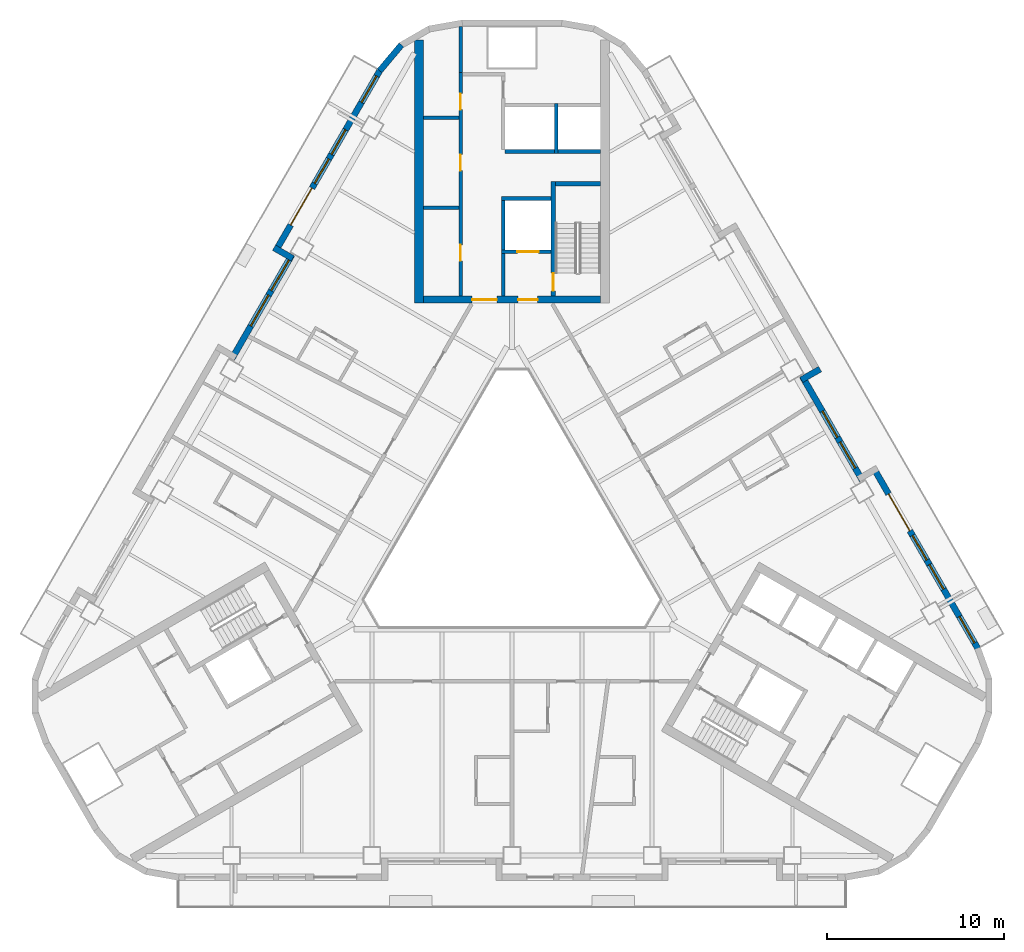
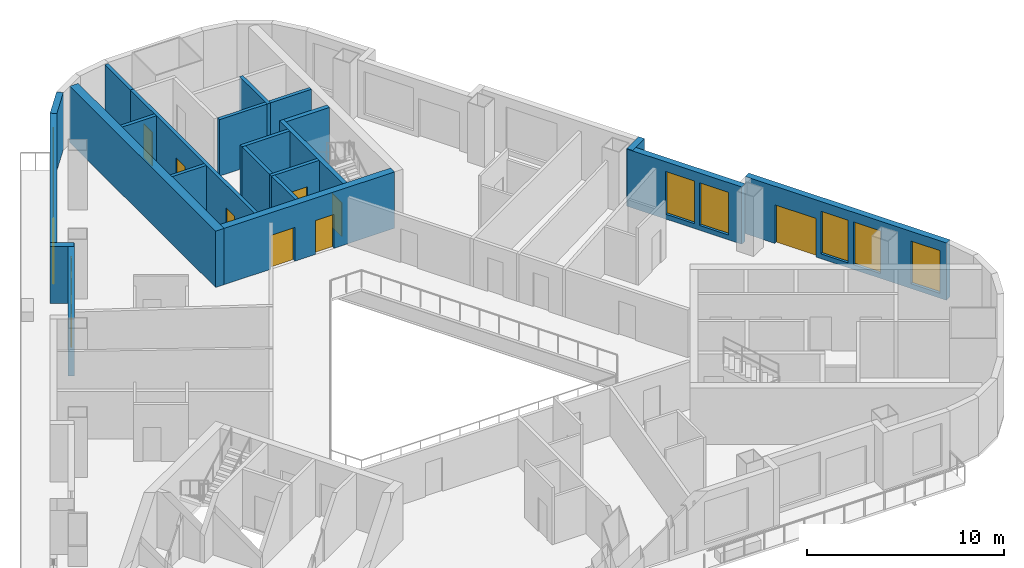
# One storey, part 6 of 13: 22 walls, 10 windows, 9 doors, 19 openings.
"""IFC4 building model written with IfcOpenShell, lengths in metres."""

import ifcopenshell
import ifcopenshell.guid

model = None  # the IFC model being written
_history = None  # IfcOwnerHistory: only IFC2X3 demands one
_inside = {}  # id of a spatial element -> (the spatial element, [elements in it])
_under = {}  # id of a project, library or spatial element -> (it, [spatial elements below it])
_declared = {}  # id of a project -> (the project, [libraries it declares])
_typed = {}  # id of a type object -> (the type object, [elements of that type])
_made_of = {}  # id of a material, layer set ... -> (it, [elements and type objects made of it])


def new_model(schema):
    """Start an empty IFC model of exactly this schema.

    Asked for "IFC4X3", IfcOpenShell would pick the latest addendum, in which some entities
    have other attributes; the version numbers below select the first issue.
    IFC2X3 requires an IfcOwnerHistory on every rooted entity: one is made here for all.
    """
    global model, _history
    if schema == "IFC4X3":
        model = ifcopenshell.file(schema_version=(4, 3, 0, 0))
    else:
        model = ifcopenshell.file(schema=schema)
    _inside.clear()
    _under.clear()
    _declared.clear()
    _typed.clear()
    _made_of.clear()
    _history = None
    if model.schema == "IFC2X3":
        org = make("IfcOrganization", Name="unknown")
        user = make(
            "IfcPersonAndOrganization",
            ThePerson=make("IfcPerson", FamilyName="unknown"),
            TheOrganization=org,
        )
        app = make(
            "IfcApplication",
            ApplicationDeveloper=org,
            Version="unknown",
            ApplicationFullName="unknown",
            ApplicationIdentifier="unknown",
        )
        _history = make(
            "IfcOwnerHistory",
            OwningUser=user,
            OwningApplication=app,
            ChangeAction="ADDED",
            CreationDate=0,
        )
    return model


def make(cls, **values):
    """One entity of the class cls with the attributes given. An attribute that is None is left unset."""
    return model.create_entity(
        cls, **{name: value for name, value in values.items() if value is not None}
    )


def rooted(cls, **values):
    """An entity with a GlobalId (a new one), such as an element, a storey or a relation."""
    return make(cls, GlobalId=ifcopenshell.guid.new(), OwnerHistory=_history, **values)


def si_unit(unit_type, name, prefix=None):
    """IfcSIUnit, for example si_unit("LENGTHUNIT", "METRE", prefix="MILLI")."""
    return make("IfcSIUnit", UnitType=unit_type, Prefix=prefix, Name=name)


def assignment(units):
    """IfcUnitAssignment: the units of a project."""
    return None if units is None else make("IfcUnitAssignment", Units=units)


def point(xyz):
    """IfcCartesianPoint."""
    return None if xyz is None else make("IfcCartesianPoint", Coordinates=xyz)


def direction(xyz):
    """IfcDirection."""
    return None if xyz is None else make("IfcDirection", DirectionRatios=xyz)


def frame(location, z_axis=None, x_axis=None):
    """IfcAxis2Placement3D, a coordinate frame: its origin and axes. An axis left out is left unset."""
    return make(
        "IfcAxis2Placement3D",
        Location=point(location),
        Axis=direction(z_axis),
        RefDirection=direction(x_axis),
    )


def frame_2d(location, x_axis=None):
    """IfcAxis2Placement2D, a coordinate frame in the plane: its origin and x axis."""
    return make(
        "IfcAxis2Placement2D", Location=point(location), RefDirection=direction(x_axis)
    )


def origin():
    """The frame at (0, 0, 0) with its axes left unset."""
    return frame((0.0, 0.0, 0.0))


def place(relative_to, where):
    """IfcLocalPlacement: puts the frame where relative to a parent placement (None: the world)."""
    return make(
        "IfcLocalPlacement", PlacementRelTo=relative_to, RelativePlacement=where
    )


def context(
    kind, dimensions, precision=None, world=None, true_north=None, identifier=None
):
    """IfcGeometricRepresentationContext, for example the 3D "Model" context."""
    return make(
        "IfcGeometricRepresentationContext",
        ContextIdentifier=identifier,
        ContextType=kind,
        CoordinateSpaceDimension=dimensions,
        Precision=precision,
        WorldCoordinateSystem=world,
        TrueNorth=true_north,
    )


def subcontext(parent, identifier, kind, view, scale=None):
    """IfcGeometricRepresentationSubContext, for example "Body" below "Model"."""
    return make(
        "IfcGeometricRepresentationSubContext",
        ContextIdentifier=identifier,
        ContextType=kind,
        ParentContext=parent,
        TargetScale=scale,
        TargetView=view,
    )


def project(units=None, contexts=None):
    """IfcProject with its units and contexts."""
    return rooted(
        "IfcProject",
        Name="project",
        RepresentationContexts=contexts,
        UnitsInContext=assignment(units),
    )


def spatial(cls, under=None, at=None, **own):
    """A site, building, storey or space (cls), placed at a placement, below another one or the project."""
    s = rooted(cls, ObjectPlacement=at, **own)
    if under is not None:
        _under.setdefault(under.id(), (under, []))[1].append(s)
    return s


def profile(cls, at=None, kind="AREA", **sizes):
    """A parametric profile (cls). Its sizes go by their IFC names, for example OverallWidth=200.0."""
    return make(cls, ProfileType=kind, Position=at, **sizes)


def rectangle(**sizes):
    """IfcRectangleProfileDef."""
    return profile("IfcRectangleProfileDef", **sizes)


def extrude(swept, where, along, depth):
    """IfcExtrudedAreaSolid: the profile swept, set in the frame where, extruded along a direction by depth."""
    return make(
        "IfcExtrudedAreaSolid",
        SweptArea=swept,
        Position=where,
        ExtrudedDirection=direction(along),
        Depth=depth,
    )


def shape(context_of_items, identifier, shape_type, items):
    """IfcShapeRepresentation: the items that make up one representation, for example the "Body"."""
    return make(
        "IfcShapeRepresentation",
        ContextOfItems=context_of_items,
        RepresentationIdentifier=identifier,
        RepresentationType=shape_type,
        Items=items,
    )


def material(Name=None, Category=None):
    """IfcMaterial."""
    return make("IfcMaterial", Name=Name, Category=Category)


def layer(
    of_material, thickness, ventilated=None, Name=None, Category=None, Priority=None
):
    """IfcMaterialLayer: one layer of a wall or slab, of a material (None: an air gap)."""
    return make(
        "IfcMaterialLayer",
        Material=of_material,
        LayerThickness=thickness,
        IsVentilated=ventilated,
        Name=Name,
        Category=Category,
        Priority=Priority,
    )


def layer_set(layers, Name=None):
    """IfcMaterialLayerSet."""
    return make("IfcMaterialLayerSet", MaterialLayers=layers, LayerSetName=Name)


def made_of(thing, what):
    """Note that an element or type object is made of a material, layer set ...; save() writes the relation."""
    if what is not None:
        _made_of.setdefault(what.id(), (what, []))[1].append(thing)
    return thing


def type_object(cls, material=None, **own):
    """A type object (cls), such as IfcWallType, which elements share."""
    return made_of(rooted(cls, **own), material)


def element(
    cls,
    number,
    at=None,
    inside=None,
    cuts=None,
    type_object=None,
    material=None,
    context=None,
    identifier="Body",
    shape_type=None,
    held_by="IfcProductDefinitionShape",
    body=None,
    shapes=None,
    **own,
):
    """One element of the class cls, such as IfcWall. Its Tag is "e" and its number.

    at: its placement. inside: the storey or other place that contains it. cuts: it is an
    opening in that element (IfcRelVoidsElement). A single representation is given by context,
    identifier, shape_type and body (its items); several are given by shapes. held_by: the class
    of the entity that holds the representations. save() writes the other relations.
    """
    e = rooted(cls, Tag="e%d" % number, ObjectPlacement=at, **own)
    if body is not None:
        shapes = [shape(context, identifier, shape_type, body)]
    if shapes is not None:
        e.Representation = make(held_by, Representations=shapes)
    if inside is not None:
        _inside.setdefault(inside.id(), (inside, []))[1].append(e)
    if cuts is not None:
        rooted(
            "IfcRelVoidsElement", RelatingBuildingElement=cuts, RelatedOpeningElement=e
        )
    if type_object is not None:
        _typed.setdefault(type_object.id(), (type_object, []))[1].append(e)
    return made_of(e, material)


def fill(opening, filler):
    """IfcRelFillsElement: the door or window that sits in an opening."""
    return rooted(
        "IfcRelFillsElement",
        RelatingOpeningElement=opening,
        RelatedBuildingElement=filler,
    )


def aggregate(whole, parts):
    """IfcRelAggregates: a whole, such as a stair, and the parts it consists of."""
    return rooted("IfcRelAggregates", RelatingObject=whole, RelatedObjects=parts)


def save(model, path):
    """Write the relations noted so far, then the file.

    IfcRelAggregates (storeys below a building ...), IfcRelContainedInSpatialStructure (elements
    in a storey), IfcRelDefinesByType, IfcRelAssociatesMaterial and IfcRelDeclares: one each for
    every whole, place, type object, material and project.
    """
    for whole, parts in _under.values():
        aggregate(whole, parts)
    for where, things in _inside.values():
        rooted(
            "IfcRelContainedInSpatialStructure",
            RelatedElements=things,
            RelatingStructure=where,
        )
    for kind, things in _typed.values():
        rooted("IfcRelDefinesByType", RelatedObjects=things, RelatingType=kind)
    for what, things in _made_of.values():
        rooted("IfcRelAssociatesMaterial", RelatedObjects=things, RelatingMaterial=what)
    for by, libraries in _declared.values():
        rooted("IfcRelDeclares", RelatingContext=by, RelatedDefinitions=libraries)
    model.write(path)


model = new_model("IFC4")

# Units and contexts
model_context = context("Model", 3, precision=1e-05, world=origin(), true_north=direction((0.0, 1.0)))
body_context = subcontext(model_context, "Body", "Model", "MODEL_VIEW")
ifc_project = project(units=[si_unit("LENGTHUNIT", "METRE"), si_unit("AREAUNIT", "SQUARE_METRE"), si_unit("VOLUMEUNIT", "CUBIC_METRE"), si_unit("PLANEANGLEUNIT", "RADIAN"), si_unit("MASSUNIT", "GRAM", prefix="KILO")], contexts=[model_context])

# Site, building, storey
site_placement = place(None, origin())
site = spatial("IfcSite", under=ifc_project, at=site_placement, CompositionType="ELEMENT")
building_placement = place(site_placement, origin())
building = spatial("IfcBuilding", under=site, at=building_placement, Name="Apuvela Tower Hotel", CompositionType="ELEMENT")
storey_placement = place(building_placement, frame((0.0, 0.0, 65.0)))
storey = spatial("IfcBuildingStorey", under=building, at=storey_placement, Name="L13", CompositionType="ELEMENT", Elevation=65.0)

# Wall, openings, doors
ifc_material_1 = material(Name="Concrete C50/60", Category="concrete")
ifc_layer_1 = layer(ifc_material_1, 0.39990234375)
ifc_layer_set_1 = layer_set([ifc_layer_1], Name="COR-WALL-CORE-400")
wall_type_1 = type_object("IfcWallType", Name="COR-WALL-CORE-400", PredefinedType="SHEAR", material=ifc_layer_set_1)
wall_1_placement = place(storey_placement, frame((5.0, 13.10009765625, 0.0), z_axis=(0.0, 0.0, 1.0), x_axis=(-1.0, 0.0, 0.0)))
wall_1 = element("IfcWall", 1, at=wall_1_placement, inside=storey, type_object=wall_type_1, Name="Core wall N", PredefinedType="SHEAR", context=body_context, shape_type="SweptSolid", body=[
    extrude(rectangle(XDim=10.0, YDim=0.39990234375, at=frame_2d((5.0, 0.0))), origin(), (0.0, 0.0, 1.0), 3.5),
])
opening_1_placement = place(wall_1_placement, frame((3.550048828125, 0.0, 0.0)))
opening_1 = element("IfcOpeningElement", 2, at=opening_1_placement, cuts=wall_1, Name="Opening N-FD", PredefinedType="OPENING", context=body_context, shape_type="SweptSolid", body=[
    extrude(rectangle(XDim=1.10009765625, YDim=2.10009765625, at=frame_2d((0.550048828125, 1.050048828125))), frame((0.0, 0.2099609375, 0.0), z_axis=(0.0, -1.0, 0.0), x_axis=(1.0, 0.0, 0.0)), (0.0, 0.0, 1.0), 0.419921875),
])
opening_2_placement = place(wall_1_placement, frame((5.85009765625, 0.0, 0.0)))
opening_2 = element("IfcOpeningElement", 3, at=opening_2_placement, cuts=wall_1, Name="Opening N-GD", PredefinedType="OPENING", context=body_context, shape_type="SweptSolid", body=[
    extrude(rectangle(XDim=1.39990234375, YDim=2.10009765625, at=frame_2d((0.699951171875, 1.050048828125))), frame((0.0, 0.2099609375, 0.0), z_axis=(0.0, -1.0, 0.0), x_axis=(1.0, 0.0, 0.0)), (0.0, 0.0, 1.0), 0.419921875),
])
ifc_material_2 = material(Name="Steel fire door, powder coated", Category="steel")
door_type_1 = type_object("IfcDoorType", Name="COR-FD-1100", OperationType="NOTDEFINED", PredefinedType="DOOR", material=ifc_material_2)
door_1_placement = place(opening_1_placement, frame((1.10009765625, 0.0, 0.0), z_axis=(0.0, 0.0, 1.0), x_axis=(-1.0, 0.0, 0.0)))
door_1 = element("IfcDoor", 4, at=door_1_placement, inside=storey, type_object=door_type_1, Name="Firefighting lobby door N-FD", OperationType="SINGLE_SWING_LEFT", OverallHeight=2.10009765625, OverallWidth=1.10009765625, PredefinedType="DOOR", context=body_context, shape_type="SweptSolid", body=[
    extrude(rectangle(XDim=1.10009765625, YDim=2.10009765625, at=frame_2d((0.550048828125, 1.050048828125))), frame((0.0, 0.02490234375, 0.0), z_axis=(0.0, -1.0, 0.0), x_axis=(1.0, 0.0, 0.0)), (0.0, 0.0, 1.0), 0.050048828125),
])
fill(opening_1, door_1)
ifc_material_3 = material(Name="Glazed steel fire door", Category="steel")
door_type_2 = type_object("IfcDoorType", Name="COR-GD-1400", OperationType="DOUBLE_DOOR_SINGLE_SWING", PredefinedType="DOOR", material=ifc_material_3)
door_2_placement = place(opening_2_placement, frame((1.39990234375, 0.0, 0.0), z_axis=(0.0, 0.0, 1.0), x_axis=(-1.0, 0.0, 0.0)))
door_2 = element("IfcDoor", 5, at=door_2_placement, inside=storey, type_object=door_type_2, Name="Lift lobby door N-GD", OperationType="DOUBLE_DOOR_SINGLE_SWING", OverallHeight=2.10009765625, OverallWidth=1.39990234375, PredefinedType="DOOR", context=body_context, shape_type="SweptSolid", body=[
    extrude(rectangle(XDim=1.39990234375, YDim=2.10009765625, at=frame_2d((0.699951171875, 1.050048828125))), frame((0.0, 0.02490234375, 0.0), z_axis=(0.0, -1.0, 0.0), x_axis=(1.0, 0.0, 0.0)), (0.0, 0.0, 1.0), 0.050048828125),
])
fill(opening_2, door_2)

# Walls
ifc_layer_2 = layer(ifc_material_1, 0.5)
ifc_layer_set_2 = layer_set([ifc_layer_2], Name="COR-WALL-CORE-500")
wall_type_2 = type_object("IfcWallType", Name="COR-WALL-CORE-500", PredefinedType="SHEAR", material=ifc_layer_set_2)
wall_2_placement = place(storey_placement, frame((-5.25, 12.89990234375, 0.0), z_axis=(0.0, 0.0, 1.0), x_axis=(0.0, 1.0, 0.0)))
element("IfcWall", 6, at=wall_2_placement, inside=storey, type_object=wall_type_2, Name="Core wall N", PredefinedType="SHEAR", context=body_context, shape_type="SweptSolid", body=[
    extrude(rectangle(XDim=14.8369140625, YDim=0.5, at=frame_2d((7.41845703125, 0.0))), origin(), (0.0, 0.0, 1.0), 3.5),
])
ifc_material_4 = material(Name="Blockwork 200 mm plastered", Category="masonry")
ifc_layer_3 = layer(ifc_material_4, 0.199951171875)
ifc_layer_set_3 = layer_set([ifc_layer_3], Name="COR-WALL-PART-200")
wall_type_3 = type_object("IfcWallType", Name="COR-WALL-PART-200", PredefinedType="PARTITIONING", material=ifc_layer_set_3)
wall_3_placement = place(storey_placement, frame((5.0, 21.449951171875, 0.0), z_axis=(0.0, 0.0, 1.0), x_axis=(-1.0, 0.0, 0.0)))
element("IfcWall", 7, at=wall_3_placement, inside=storey, type_object=wall_type_3, Name="Partition N", PredefinedType="PARTITIONING", context=body_context, shape_type="SweptSolid", body=[
    extrude(rectangle(XDim=2.39990234375, YDim=0.199951171875, at=frame_2d((1.199951171875, 0.0))), origin(), (0.0, 0.0, 1.0), 3.5),
])
wall_4_placement = place(storey_placement, frame((2.39990234375, 21.449951171875, 0.0), z_axis=(0.0, 0.0, 1.0), x_axis=(-1.0, 0.0, 0.0)))
element("IfcWall", 8, at=wall_4_placement, inside=storey, type_object=wall_type_3, Name="Partition N", PredefinedType="PARTITIONING", context=body_context, shape_type="SweptSolid", body=[
    extrude(rectangle(XDim=2.7998046875, YDim=0.199951171875, at=frame_2d((1.39990234375, 0.0))), origin(), (0.0, 0.0, 1.0), 3.5),
])
ifc_layer_4 = layer(ifc_material_1, 0.199951171875)
ifc_layer_set_4 = layer_set([ifc_layer_4], Name="COR-WALL-SHAFT-200")
wall_type_4 = type_object("IfcWallType", Name="COR-WALL-SHAFT-200", PredefinedType="SHEAR", material=ifc_layer_set_4)
wall_5_placement = place(storey_placement, frame((2.199951171875, 18.800048828125, 0.0), z_axis=(0.0, 0.0, 1.0), x_axis=(-1.0, 0.0, 0.0)))
element("IfcWall", 9, at=wall_5_placement, inside=storey, type_object=wall_type_4, Name="Shaft wall N", PredefinedType="SHEAR", context=body_context, shape_type="SweptSolid", body=[
    extrude(rectangle(XDim=2.800048828125, YDim=0.199951171875, at=frame_2d((1.39990234375, 0.0))), origin(), (0.0, 0.0, 1.0), 3.5),
])

# Wall, opening, door
wall_6_placement = place(storey_placement, frame((2.199951171875, 15.800048828125, 0.0), z_axis=(0.0, 0.0, 1.0), x_axis=(-1.0, 0.0, 0.0)))
wall_6 = element("IfcWall", 10, at=wall_6_placement, inside=storey, type_object=wall_type_4, Name="Shaft wall N", PredefinedType="SHEAR", context=body_context, shape_type="SweptSolid", body=[
    extrude(rectangle(XDim=2.800048828125, YDim=0.199951171875, at=frame_2d((1.39990234375, 0.0))), origin(), (0.0, 0.0, 1.0), 3.5),
])
opening_3_placement = place(wall_6_placement, frame((0.699951171875, 0.0, 0.0)))
opening_3 = element("IfcOpeningElement", 11, at=opening_3_placement, cuts=wall_6, Name="Opening N-LD-FS1", PredefinedType="OPENING", context=body_context, shape_type="SweptSolid", body=[
    extrude(rectangle(XDim=1.199951171875, YDim=2.10009765625, at=frame_2d((0.60009765625, 1.050048828125))), frame((0.0, 0.10986328125, 0.0), z_axis=(0.0, -1.0, 0.0), x_axis=(1.0, 0.0, 0.0)), (0.0, 0.0, 1.0), 0.219970703125),
])
ifc_material_5 = material(Name="Stainless steel lift landing door", Category="steel")
door_type_3 = type_object("IfcDoorType", Name="COR-LD-1200", OperationType="DOUBLE_DOOR_SLIDING", PredefinedType="DOOR", material=ifc_material_5)
door_3_placement = place(opening_3_placement, origin())
door_3 = element("IfcDoor", 12, at=door_3_placement, inside=storey, type_object=door_type_3, Name="Lift landing door N-LD-FS1", OperationType="DOUBLE_DOOR_SLIDING", OverallHeight=2.10009765625, OverallWidth=1.199951171875, PredefinedType="DOOR", context=body_context, shape_type="SweptSolid", body=[
    extrude(rectangle(XDim=1.199951171875, YDim=2.10009765625, at=frame_2d((0.60009765625, 1.050048828125))), frame((0.0, 0.02490234375, 0.0), z_axis=(0.0, -1.0, 0.0), x_axis=(1.0, 0.0, 0.0)), (0.0, 0.0, 1.0), 0.050048828125),
])
fill(opening_3, door_3)

# Walls
wall_7_placement = place(storey_placement, frame((-0.5, 15.89990234375, 0.0), z_axis=(0.0, 0.0, 1.0), x_axis=(0.0, 1.0, 0.0)))
element("IfcWall", 13, at=wall_7_placement, inside=storey, type_object=wall_type_4, Name="Shaft wall N", PredefinedType="SHEAR", context=body_context, shape_type="SweptSolid", body=[
    extrude(rectangle(XDim=2.800048828125, YDim=0.199951171875, at=frame_2d((1.39990234375, 0.0))), origin(), (0.0, 0.0, 1.0), 3.5),
])
wall_8_placement = place(storey_placement, frame((-0.5, 13.300048828125, 0.0), z_axis=(0.0, 0.0, 1.0), x_axis=(0.0, 1.0, 0.0)))
element("IfcWall", 14, at=wall_8_placement, inside=storey, type_object=wall_type_4, Name="Shaft wall N", PredefinedType="SHEAR", context=body_context, shape_type="SweptSolid", body=[
    extrude(rectangle(XDim=2.39990234375, YDim=0.199951171875, at=frame_2d((1.199951171875, 0.0))), origin(), (0.0, 0.0, 1.0), 3.5),
])

# Wall, openings, doors
wall_9_placement = place(storey_placement, frame((-2.89990234375, 13.300048828125, 0.0), z_axis=(0.0, 0.0, 1.0), x_axis=(0.0, 1.0, 0.0)))
wall_9 = element("IfcWall", 15, at=wall_9_placement, inside=storey, type_object=wall_type_4, Name="Shaft wall N", PredefinedType="SHEAR", context=body_context, shape_type="SweptSolid", body=[
    extrude(rectangle(XDim=12.599853515625, YDim=0.199951171875, at=frame_2d((6.2998046875, 0.0))), origin(), (0.0, 0.0, 1.0), 3.5),
])
opening_4_placement = place(wall_9_placement, frame((1.989990234375, 0.0, 0.0)))
opening_4 = element("IfcOpeningElement", 16, at=opening_4_placement, cuts=wall_9, Name="Opening N-RE1", PredefinedType="OPENING", context=body_context, shape_type="SweptSolid", body=[
    extrude(rectangle(XDim=0.89990234375, YDim=2.10009765625, at=frame_2d((0.449951171875, 1.050048828125))), frame((0.0, 0.10986328125, 0.0), z_axis=(0.0, -1.0, 0.0), x_axis=(1.0, 0.0, 0.0)), (0.0, 0.0, 1.0), 0.219970703125),
])
opening_5_placement = place(wall_9_placement, frame((7.070068359375, 0.0, 0.0)))
opening_5 = element("IfcOpeningElement", 17, at=opening_5_placement, cuts=wall_9, Name="Opening N-RE3", PredefinedType="OPENING", context=body_context, shape_type="SweptSolid", body=[
    extrude(rectangle(XDim=0.89990234375, YDim=2.10009765625, at=frame_2d((0.449951171875, 1.050048828125))), frame((0.0, 0.10986328125, 0.0), z_axis=(0.0, -1.0, 0.0), x_axis=(1.0, 0.0, 0.0)), (0.0, 0.0, 1.0), 0.219970703125),
])
opening_6_placement = place(wall_9_placement, frame((10.510009765625, 0.0, 0.0)))
opening_6 = element("IfcOpeningElement", 18, at=opening_6_placement, cuts=wall_9, Name="Opening N-REP", PredefinedType="OPENING", context=body_context, shape_type="SweptSolid", body=[
    extrude(rectangle(XDim=0.89990234375, YDim=2.10009765625, at=frame_2d((0.449951171875, 1.050048828125))), frame((0.0, 0.10986328125, 0.0), z_axis=(0.0, -1.0, 0.0), x_axis=(1.0, 0.0, 0.0)), (0.0, 0.0, 1.0), 0.219970703125),
])
door_type_4 = type_object("IfcDoorType", Name="COR-DR-900", OperationType="NOTDEFINED", PredefinedType="DOOR", material=ifc_material_2)
door_4_placement = place(opening_4_placement, origin())
door_4 = element("IfcDoor", 19, at=door_4_placement, inside=storey, type_object=door_type_4, Name="Store door N-RE1", OperationType="SINGLE_SWING_LEFT", OverallHeight=2.10009765625, OverallWidth=0.89990234375, PredefinedType="DOOR", context=body_context, shape_type="SweptSolid", body=[
    extrude(rectangle(XDim=0.89990234375, YDim=2.10009765625, at=frame_2d((0.449951171875, 1.050048828125))), frame((0.0, 0.02490234375, 0.0), z_axis=(0.0, -1.0, 0.0), x_axis=(1.0, 0.0, 0.0)), (0.0, 0.0, 1.0), 0.050048828125),
])
fill(opening_4, door_4)
door_5_placement = place(opening_5_placement, origin())
door_5 = element("IfcDoor", 20, at=door_5_placement, inside=storey, type_object=door_type_4, Name="Store door N-RE3", OperationType="SINGLE_SWING_LEFT", OverallHeight=2.10009765625, OverallWidth=0.89990234375, PredefinedType="DOOR", context=body_context, shape_type="SweptSolid", body=[
    extrude(rectangle(XDim=0.89990234375, YDim=2.10009765625, at=frame_2d((0.449951171875, 1.050048828125))), frame((0.0, 0.02490234375, 0.0), z_axis=(0.0, -1.0, 0.0), x_axis=(1.0, 0.0, 0.0)), (0.0, 0.0, 1.0), 0.050048828125),
])
fill(opening_5, door_5)
door_6_placement = place(opening_6_placement, origin())
door_6 = element("IfcDoor", 21, at=door_6_placement, inside=storey, type_object=door_type_4, Name="Store door N-REP", OperationType="SINGLE_SWING_RIGHT", OverallHeight=2.10009765625, OverallWidth=0.89990234375, PredefinedType="DOOR", context=body_context, shape_type="SweptSolid", body=[
    extrude(rectangle(XDim=0.89990234375, YDim=2.10009765625, at=frame_2d((0.449951171875, 1.050048828125))), frame((0.0, 0.02490234375, 0.0), z_axis=(0.0, -1.0, 0.0), x_axis=(1.0, 0.0, 0.0)), (0.0, 0.0, 1.0), 0.050048828125),
])
fill(opening_6, door_6)

# Walls
for number, where, z_axis, x_axis, name in (
    (22, (-3.0, 18.280029296875, 0.0), (0.0, 0.0, 1.0), (-1.0, 0.0, 0.0), "Shaft wall N"),
    (23, (-3.0, 23.360107421875, 0.0), (0.0, 0.0, 1.0), (-1.0, 0.0, 0.0), "Shaft wall N"),
):
    element("IfcWall", number, at=place(storey_placement, frame(where, z_axis=z_axis, x_axis=x_axis)), inside=storey, type_object=wall_type_4, Name=name, PredefinedType="SHEAR", context=body_context, shape_type="SweptSolid", body=[
        extrude(rectangle(XDim=2.0, YDim=0.199951171875, at=frame_2d((1.0, 0.0))), origin(), (0.0, 0.0, 1.0), 3.5),
    ])
wall_10_placement = place(storey_placement, frame((-2.89990234375, 25.89990234375, 0.0), z_axis=(0.0, 0.0, 1.0), x_axis=(0.0, 1.0, 0.0)))
element("IfcWall", 24, at=wall_10_placement, inside=storey, type_object=wall_type_4, Name="Shaft wall N", PredefinedType="SHEAR", context=body_context, shape_type="SweptSolid", body=[
    extrude(rectangle(XDim=2.60009765625, YDim=0.199951171875, at=frame_2d((1.300048828125, 0.0))), origin(), (0.0, 0.0, 1.0), 3.5),
])
wall_11_placement = place(storey_placement, frame((2.5, 21.35009765625, 0.0), z_axis=(0.0, 0.0, 1.0), x_axis=(0.0, 1.0, 0.0)))
element("IfcWall", 25, at=wall_11_placement, inside=storey, type_object=wall_type_4, Name="Shaft wall N", PredefinedType="SHEAR", context=body_context, shape_type="SweptSolid", body=[
    extrude(rectangle(XDim=2.7998046875, YDim=0.199951171875, at=frame_2d((1.39990234375, 0.0))), origin(), (0.0, 0.0, 1.0), 3.5),
])

# Wall, opening, door
ifc_layer_5 = layer(ifc_material_1, 0.25)
ifc_layer_set_5 = layer_set([ifc_layer_5], Name="COR-WALL-STAIR-250")
wall_type_5 = type_object("IfcWallType", Name="COR-WALL-STAIR-250", PredefinedType="SHEAR", material=ifc_layer_set_5)
wall_12_placement = place(storey_placement, frame((2.324951171875, 13.300048828125, 0.0), z_axis=(0.0, 0.0, 1.0), x_axis=(0.0, 1.0, 0.0)))
wall_12 = element("IfcWall", 26, at=wall_12_placement, inside=storey, type_object=wall_type_5, Name="Stair wall N", PredefinedType="SHEAR", context=body_context, shape_type="SweptSolid", body=[
    extrude(rectangle(XDim=6.449951171875, YDim=0.25, at=frame_2d((3.22509765625, 0.0))), origin(), (0.0, 0.0, 1.0), 3.5),
])
opening_7_placement = place(wall_12_placement, frame((0.300048828125, 0.0, 0.0)))
opening_7 = element("IfcOpeningElement", 27, at=opening_7_placement, cuts=wall_12, Name="Opening N-SD", PredefinedType="OPENING", context=body_context, shape_type="SweptSolid", body=[
    extrude(rectangle(XDim=1.0, YDim=2.10009765625, at=frame_2d((0.5, 1.050048828125))), frame((0.0, 0.135009765625, 0.0), z_axis=(0.0, -1.0, 0.0), x_axis=(1.0, 0.0, 0.0)), (0.0, 0.0, 1.0), 0.27001953125),
])
door_type_5 = type_object("IfcDoorType", Name="COR-SD-1000", OperationType="NOTDEFINED", PredefinedType="DOOR", material=ifc_material_2)
door_7_placement = place(opening_7_placement, frame((1.0, 0.0, 0.0), z_axis=(0.0, 0.0, 1.0), x_axis=(-1.0, 0.0, 0.0)))
door_7 = element("IfcDoor", 28, at=door_7_placement, inside=storey, type_object=door_type_5, Name="Stair door N-SD", OperationType="SINGLE_SWING_LEFT", OverallHeight=2.10009765625, OverallWidth=1.0, PredefinedType="DOOR", context=body_context, shape_type="SweptSolid", body=[
    extrude(rectangle(XDim=1.0, YDim=2.10009765625, at=frame_2d((0.5, 1.050048828125))), frame((0.0, 0.02490234375, 0.0), z_axis=(0.0, -1.0, 0.0), x_axis=(1.0, 0.0, 0.0)), (0.0, 0.0, 1.0), 0.050048828125),
])
fill(opening_7, door_7)

# Wall
wall_13_placement = place(storey_placement, frame((5.0, 19.625, 0.0), z_axis=(0.0, 0.0, 1.0), x_axis=(-1.0, 0.0, 0.0)))
element("IfcWall", 29, at=wall_13_placement, inside=storey, type_object=wall_type_5, Name="Stair wall N", PredefinedType="SHEAR", context=body_context, shape_type="SweptSolid", body=[
    extrude(rectangle(XDim=2.550048828125, YDim=0.25, at=frame_2d((1.27490234375, 0.0))), origin(), (0.0, 0.0, 1.0), 3.5),
])

# Wall, openings, door, windows
ifc_material_6 = material(Name="Concrete C40/50, dark pigmented precast panel", Category="concrete")
ifc_layer_6 = layer(ifc_material_6, 0.35009765625)
ifc_layer_set_6 = layer_set([ifc_layer_6], Name="ENV-WALL-350")
wall_type_6 = type_object("IfcWallType", Name="ENV-WALL-350", PredefinedType="SOLIDWALL", material=ifc_layer_set_6)
wall_14_placement = place(storey_placement, frame((-7.440673828125, 26.0224609375, 0.0), z_axis=(0.0, 0.0, 1.0), x_axis=(-0.499992533062, -0.86602971478, 0.0)))
wall_14 = element("IfcWall", 30, at=wall_14_placement, inside=storey, type_object=wall_type_6, Name="External wall L13-01", PredefinedType="SOLIDWALL", context=body_context, shape_type="SweptSolid", body=[
    extrude(rectangle(XDim=11.815673828125, YDim=0.35009765625, at=frame_2d((5.90771484375, 0.0))), origin(), (0.0, 0.0, 1.0), 3.550048828125),
])
opening_8_placement = place(wall_14_placement, frame((0.381103515625, 0.0, 0.300048828125)))
opening_8 = element("IfcOpeningElement", 31, at=opening_8_placement, cuts=wall_14, Name="Opening WN17", PredefinedType="OPENING", context=body_context, shape_type="SweptSolid", body=[
    extrude(rectangle(XDim=1.699951171875, YDim=2.64990234375, at=frame_2d((0.85009765625, 1.324951171875))), frame((0.0, 0.18505859375, 0.0), z_axis=(0.0, -1.0, 0.0), x_axis=(1.0, 0.0, 0.0)), (0.0, 0.0, 1.0), 0.3701171875),
])
opening_9_placement = place(wall_14_placement, frame((7.66552734375, 0.0, 0.0)))
opening_9 = element("IfcOpeningElement", 32, at=opening_9_placement, cuts=wall_14, Name="Opening BD24", PredefinedType="OPENING", context=body_context, shape_type="SweptSolid", body=[
    extrude(rectangle(XDim=2.39990234375, YDim=2.39990234375, at=frame_2d((1.199951171875, 1.199951171875))), frame((0.0, 0.18505859375, 0.0), z_axis=(0.0, -1.0, 0.0), x_axis=(1.0, 0.0, 0.0)), (0.0, 0.0, 1.0), 0.3701171875),
])
opening_10_placement = place(wall_14_placement, frame((3.865478515625, 0.0, 0.300048828125)))
opening_10 = element("IfcOpeningElement", 33, at=opening_10_placement, cuts=wall_14, Name="Opening WN16", PredefinedType="OPENING", context=body_context, shape_type="SweptSolid", body=[
    extrude(rectangle(XDim=1.60009765625, YDim=2.64990234375, at=frame_2d((0.800048828125, 1.324951171875))), frame((0.0, 0.18505859375, 0.0), z_axis=(0.0, -1.0, 0.0), x_axis=(1.0, 0.0, 0.0)), (0.0, 0.0, 1.0), 0.3701171875),
])
opening_11_placement = place(wall_14_placement, frame((5.765380859375, 0.0, 0.300048828125)))
opening_11 = element("IfcOpeningElement", 34, at=opening_11_placement, cuts=wall_14, Name="Opening WN16", PredefinedType="OPENING", context=body_context, shape_type="SweptSolid", body=[
    extrude(rectangle(XDim=1.60009765625, YDim=2.64990234375, at=frame_2d((0.800048828125, 1.324951171875))), frame((0.0, 0.18505859375, 0.0), z_axis=(0.0, -1.0, 0.0), x_axis=(1.0, 0.0, 0.0)), (0.0, 0.0, 1.0), 0.3701171875),
])
ifc_material_7 = material(Name="Aluminium 6063-T6, dark bronze anodised frame with dark tinted laminated glass", Category="aluminium")
door_type_6 = type_object("IfcDoorType", Name="ENV-DOOR-BALCONY-2400x2400", OperationType="SLIDING_TO_LEFT", PredefinedType="DOOR", material=ifc_material_7)
door_8_placement = place(opening_9_placement, frame((2.39990234375, 0.0, 0.0), z_axis=(0.0, 0.0, 1.0), x_axis=(-1.0, 0.0, 0.0)))
door_8 = element("IfcDoor", 35, at=door_8_placement, inside=storey, type_object=door_type_6, Name="Balcony door BD24", OperationType="SLIDING_TO_LEFT", OverallHeight=2.39990234375, OverallWidth=2.39990234375, PredefinedType="DOOR", context=body_context, shape_type="SweptSolid", body=[
    extrude(rectangle(XDim=2.39990234375, YDim=2.39990234375, at=frame_2d((1.199951171875, 1.199951171875))), frame((0.0, 0.02490234375, 0.0), z_axis=(0.0, -1.0, 0.0), x_axis=(1.0, 0.0, 0.0)), (0.0, 0.0, 1.0), 0.050048828125),
])
fill(opening_9, door_8)
ifc_material_8 = material(Name="Glass, dark tinted laminated insulated glazing unit", Category="glass")
window_type_1 = type_object("IfcWindowType", Name="ENV-WIN-1600x2650", PartitioningType="SINGLE_PANEL", PredefinedType="WINDOW", material=ifc_material_8)
window_1_placement = place(opening_10_placement, origin())
window_1 = element("IfcWindow", 36, at=window_1_placement, inside=storey, type_object=window_type_1, Name="Window WN16", OverallHeight=2.64990234375, OverallWidth=1.60009765625, PartitioningType="SINGLE_PANEL", PredefinedType="WINDOW", context=body_context, shape_type="SweptSolid", body=[
    extrude(rectangle(XDim=1.60009765625, YDim=2.64990234375, at=frame_2d((0.800048828125, 1.324951171875))), frame((0.0, 0.030029296875, 0.0), z_axis=(0.0, -1.0, 0.0), x_axis=(1.0, 0.0, 0.0)), (0.0, 0.0, 1.0), 0.06005859375),
])
fill(opening_10, window_1)
window_2_placement = place(opening_11_placement, origin())
window_2 = element("IfcWindow", 37, at=window_2_placement, inside=storey, type_object=window_type_1, Name="Window WN16", OverallHeight=2.64990234375, OverallWidth=1.60009765625, PartitioningType="SINGLE_PANEL", PredefinedType="WINDOW", context=body_context, shape_type="SweptSolid", body=[
    extrude(rectangle(XDim=1.60009765625, YDim=2.64990234375, at=frame_2d((0.800048828125, 1.324951171875))), frame((0.0, 0.030029296875, 0.0), z_axis=(0.0, -1.0, 0.0), x_axis=(1.0, 0.0, 0.0)), (0.0, 0.0, 1.0), 0.06005859375),
])
fill(opening_11, window_2)
window_type_2 = type_object("IfcWindowType", Name="ENV-WIN-1700x2650", PartitioningType="SINGLE_PANEL", PredefinedType="WINDOW", material=ifc_material_8)
window_3_placement = place(opening_8_placement, origin())
window_3 = element("IfcWindow", 38, at=window_3_placement, inside=storey, type_object=window_type_2, Name="Window WN17", OverallHeight=2.64990234375, OverallWidth=1.699951171875, PartitioningType="SINGLE_PANEL", PredefinedType="WINDOW", context=body_context, shape_type="SweptSolid", body=[
    extrude(rectangle(XDim=1.699951171875, YDim=2.64990234375, at=frame_2d((0.85009765625, 1.324951171875))), frame((0.0, 0.030029296875, 0.0), z_axis=(0.0, -1.0, 0.0), x_axis=(1.0, 0.0, 0.0)), (0.0, 0.0, 1.0), 0.06005859375),
])
fill(opening_8, window_3)

# Wall
wall_15_placement = place(storey_placement, frame((-13.41259765625, 16.02880859375, 0.0), z_axis=(0.0, 0.0, 1.0), x_axis=(0.866005645448, -0.500034220881, 0.0)))
element("IfcWall", 39, at=wall_15_placement, inside=storey, type_object=wall_type_6, Name="External wall L13-02", PredefinedType="SOLIDWALL", context=body_context, shape_type="SweptSolid", body=[
    extrude(rectangle(XDim=1.22021484375, YDim=0.35009765625, at=frame_2d((0.610107421875, 0.0))), origin(), (0.0, 0.0, 1.0), 3.550048828125),
])

# Wall, openings, windows
wall_16_placement = place(storey_placement, frame((-12.408935546875, 15.616943359375, 0.0), z_axis=(0.0, 0.0, 1.0), x_axis=(-0.500003597184, -0.866023326939, 0.0)))
wall_16 = element("IfcWall", 40, at=wall_16_placement, inside=storey, type_object=wall_type_6, Name="External wall L13-03", PredefinedType="SOLIDWALL", context=body_context, shape_type="SweptSolid", body=[
    extrude(rectangle(XDim=6.740234375, YDim=0.35009765625, at=frame_2d((3.3701171875, 0.0))), origin(), (0.0, 0.0, 1.0), 3.550048828125),
])
opening_12_placement = place(wall_16_placement, frame((0.3203125, 0.0, 0.300048828125)))
opening_12 = element("IfcOpeningElement", 41, at=opening_12_placement, cuts=wall_16, Name="Opening WN20", PredefinedType="OPENING", context=body_context, shape_type="SweptSolid", body=[
    extrude(rectangle(XDim=2.0, YDim=2.64990234375, at=frame_2d((1.0, 1.324951171875))), frame((0.0, 0.18505859375, 0.0), z_axis=(0.0, -1.0, 0.0), x_axis=(1.0, 0.0, 0.0)), (0.0, 0.0, 1.0), 0.3701171875),
])
opening_13_placement = place(wall_16_placement, frame((2.6201171875, 0.0, 0.300048828125)))
opening_13 = element("IfcOpeningElement", 42, at=opening_13_placement, cuts=wall_16, Name="Opening WN20", PredefinedType="OPENING", context=body_context, shape_type="SweptSolid", body=[
    extrude(rectangle(XDim=2.0, YDim=2.64990234375, at=frame_2d((1.0, 1.324951171875))), frame((0.0, 0.18505859375, 0.0), z_axis=(0.0, -1.0, 0.0), x_axis=(1.0, 0.0, 0.0)), (0.0, 0.0, 1.0), 0.3701171875),
])
window_type_3 = type_object("IfcWindowType", Name="ENV-WIN-2000x2650", PartitioningType="SINGLE_PANEL", PredefinedType="WINDOW", material=ifc_material_8)
window_4_placement = place(opening_12_placement, origin())
window_4 = element("IfcWindow", 43, at=window_4_placement, inside=storey, type_object=window_type_3, Name="Window WN20", OverallHeight=2.64990234375, OverallWidth=2.0, PartitioningType="SINGLE_PANEL", PredefinedType="WINDOW", context=body_context, shape_type="SweptSolid", body=[
    extrude(rectangle(XDim=2.0, YDim=2.64990234375, at=frame_2d((1.0, 1.324951171875))), frame((0.0, 0.030029296875, 0.0), z_axis=(0.0, -1.0, 0.0), x_axis=(1.0, 0.0, 0.0)), (0.0, 0.0, 1.0), 0.06005859375),
])
fill(opening_12, window_4)
window_5_placement = place(opening_13_placement, origin())
window_5 = element("IfcWindow", 44, at=window_5_placement, inside=storey, type_object=window_type_3, Name="Window WN20", OverallHeight=2.64990234375, OverallWidth=2.0, PartitioningType="SINGLE_PANEL", PredefinedType="WINDOW", context=body_context, shape_type="SweptSolid", body=[
    extrude(rectangle(XDim=2.0, YDim=2.64990234375, at=frame_2d((1.0, 1.324951171875))), frame((0.0, 0.030029296875, 0.0), z_axis=(0.0, -1.0, 0.0), x_axis=(1.0, 0.0, 0.0)), (0.0, 0.0, 1.0), 0.06005859375),
])
fill(opening_13, window_5)

# Wall, openings, door, windows
wall_17_placement = place(storey_placement, frame((26.256591796875, -6.5673828125, 0.0), z_axis=(0.0, 0.0, 1.0), x_axis=(-0.500023526245, 0.866011820475, 0.0)))
wall_17 = element("IfcWall", 45, at=wall_17_placement, inside=storey, type_object=wall_type_6, Name="External wall L13-33", PredefinedType="SOLIDWALL", context=body_context, shape_type="SweptSolid", body=[
    extrude(rectangle(XDim=11.81591796875, YDim=0.35009765625, at=frame_2d((5.907958984375, 0.0))), origin(), (0.0, 0.0, 1.0), 3.550048828125),
])
opening_14_placement = place(wall_17_placement, frame((0.380126953125, 0.0, 0.300048828125)))
opening_14 = element("IfcOpeningElement", 46, at=opening_14_placement, cuts=wall_17, Name="Opening WN17", PredefinedType="OPENING", context=body_context, shape_type="SweptSolid", body=[
    extrude(rectangle(XDim=1.699951171875, YDim=2.64990234375, at=frame_2d((0.85009765625, 1.324951171875))), frame((0.0, 0.18505859375, 0.0), z_axis=(0.0, -1.0, 0.0), x_axis=(1.0, 0.0, 0.0)), (0.0, 0.0, 1.0), 0.3701171875),
])
opening_15_placement = place(wall_17_placement, frame((7.666015625, 0.0, 0.0)))
opening_15 = element("IfcOpeningElement", 47, at=opening_15_placement, cuts=wall_17, Name="Opening BD24", PredefinedType="OPENING", context=body_context, shape_type="SweptSolid", body=[
    extrude(rectangle(XDim=2.39990234375, YDim=2.39990234375, at=frame_2d((1.199951171875, 1.199951171875))), frame((0.0, 0.18505859375, 0.0), z_axis=(0.0, -1.0, 0.0), x_axis=(1.0, 0.0, 0.0)), (0.0, 0.0, 1.0), 0.3701171875),
])
opening_16_placement = place(wall_17_placement, frame((3.865234375, 0.0, 0.300048828125)))
opening_16 = element("IfcOpeningElement", 48, at=opening_16_placement, cuts=wall_17, Name="Opening WN16", PredefinedType="OPENING", context=body_context, shape_type="SweptSolid", body=[
    extrude(rectangle(XDim=1.60009765625, YDim=2.64990234375, at=frame_2d((0.800048828125, 1.324951171875))), frame((0.0, 0.18505859375, 0.0), z_axis=(0.0, -1.0, 0.0), x_axis=(1.0, 0.0, 0.0)), (0.0, 0.0, 1.0), 0.3701171875),
])
opening_17_placement = place(wall_17_placement, frame((5.765380859375, 0.0, 0.300048828125)))
opening_17 = element("IfcOpeningElement", 49, at=opening_17_placement, cuts=wall_17, Name="Opening WN16", PredefinedType="OPENING", context=body_context, shape_type="SweptSolid", body=[
    extrude(rectangle(XDim=1.60009765625, YDim=2.64990234375, at=frame_2d((0.800048828125, 1.324951171875))), frame((0.0, 0.18505859375, 0.0), z_axis=(0.0, -1.0, 0.0), x_axis=(1.0, 0.0, 0.0)), (0.0, 0.0, 1.0), 0.3701171875),
])
door_9_placement = place(opening_15_placement, frame((2.39990234375, 0.0, 0.0), z_axis=(0.0, 0.0, 1.0), x_axis=(-1.0, 0.0, 0.0)))
door_9 = element("IfcDoor", 50, at=door_9_placement, inside=storey, type_object=door_type_6, Name="Balcony door BD24", OperationType="SLIDING_TO_LEFT", OverallHeight=2.39990234375, OverallWidth=2.39990234375, PredefinedType="DOOR", context=body_context, shape_type="SweptSolid", body=[
    extrude(rectangle(XDim=2.39990234375, YDim=2.39990234375, at=frame_2d((1.199951171875, 1.199951171875))), frame((0.0, 0.02490234375, 0.0), z_axis=(0.0, -1.0, 0.0), x_axis=(1.0, 0.0, 0.0)), (0.0, 0.0, 1.0), 0.050048828125),
])
fill(opening_15, door_9)
window_6_placement = place(opening_16_placement, origin())
window_6 = element("IfcWindow", 51, at=window_6_placement, inside=storey, type_object=window_type_1, Name="Window WN16", OverallHeight=2.64990234375, OverallWidth=1.60009765625, PartitioningType="SINGLE_PANEL", PredefinedType="WINDOW", context=body_context, shape_type="SweptSolid", body=[
    extrude(rectangle(XDim=1.60009765625, YDim=2.64990234375, at=frame_2d((0.800048828125, 1.324951171875))), frame((0.0, 0.030029296875, 0.0), z_axis=(0.0, -1.0, 0.0), x_axis=(1.0, 0.0, 0.0)), (0.0, 0.0, 1.0), 0.06005859375),
])
fill(opening_16, window_6)
window_7_placement = place(opening_17_placement, origin())
window_7 = element("IfcWindow", 52, at=window_7_placement, inside=storey, type_object=window_type_1, Name="Window WN16", OverallHeight=2.64990234375, OverallWidth=1.60009765625, PartitioningType="SINGLE_PANEL", PredefinedType="WINDOW", context=body_context, shape_type="SweptSolid", body=[
    extrude(rectangle(XDim=1.60009765625, YDim=2.64990234375, at=frame_2d((0.800048828125, 1.324951171875))), frame((0.0, 0.030029296875, 0.0), z_axis=(0.0, -1.0, 0.0), x_axis=(1.0, 0.0, 0.0)), (0.0, 0.0, 1.0), 0.06005859375),
])
fill(opening_17, window_7)
window_8_placement = place(opening_14_placement, origin())
window_8 = element("IfcWindow", 53, at=window_8_placement, inside=storey, type_object=window_type_2, Name="Window WN17", OverallHeight=2.64990234375, OverallWidth=1.699951171875, PartitioningType="SINGLE_PANEL", PredefinedType="WINDOW", context=body_context, shape_type="SweptSolid", body=[
    extrude(rectangle(XDim=1.699951171875, YDim=2.64990234375, at=frame_2d((0.85009765625, 1.324951171875))), frame((0.0, 0.030029296875, 0.0), z_axis=(0.0, -1.0, 0.0), x_axis=(1.0, 0.0, 0.0)), (0.0, 0.0, 1.0), 0.06005859375),
])
fill(opening_14, window_8)

# Wall, openings, windows
wall_18_placement = place(storey_placement, frame((19.72900390625, 2.93798828125, 0.0), z_axis=(0.0, 0.0, 1.0), x_axis=(-0.499976430342, 0.866039011305, 0.0)))
wall_18 = element("IfcWall", 54, at=wall_18_placement, inside=storey, type_object=wall_type_6, Name="External wall L13-35", PredefinedType="SOLIDWALL", context=body_context, shape_type="SweptSolid", body=[
    extrude(rectangle(XDim=6.739990234375, YDim=0.35009765625, at=frame_2d((3.3701171875, 0.0))), origin(), (0.0, 0.0, 1.0), 3.550048828125),
])
opening_18_placement = place(wall_18_placement, frame((0.77001953125, 0.0, 0.300048828125)))
opening_18 = element("IfcOpeningElement", 55, at=opening_18_placement, cuts=wall_18, Name="Opening WN17", PredefinedType="OPENING", context=body_context, shape_type="SweptSolid", body=[
    extrude(rectangle(XDim=1.699951171875, YDim=2.64990234375, at=frame_2d((0.85009765625, 1.324951171875))), frame((0.0, 0.18505859375, 0.0), z_axis=(0.0, -1.0, 0.0), x_axis=(1.0, 0.0, 0.0)), (0.0, 0.0, 1.0), 0.3701171875),
])
opening_19_placement = place(wall_18_placement, frame((2.77001953125, 0.0, 0.300048828125)))
opening_19 = element("IfcOpeningElement", 56, at=opening_19_placement, cuts=wall_18, Name="Opening WN17", PredefinedType="OPENING", context=body_context, shape_type="SweptSolid", body=[
    extrude(rectangle(XDim=1.699951171875, YDim=2.64990234375, at=frame_2d((0.85009765625, 1.324951171875))), frame((0.0, 0.18505859375, 0.0), z_axis=(0.0, -1.0, 0.0), x_axis=(1.0, 0.0, 0.0)), (0.0, 0.0, 1.0), 0.3701171875),
])
window_9_placement = place(opening_18_placement, origin())
window_9 = element("IfcWindow", 57, at=window_9_placement, inside=storey, type_object=window_type_2, Name="Window WN17", OverallHeight=2.64990234375, OverallWidth=1.699951171875, PartitioningType="SINGLE_PANEL", PredefinedType="WINDOW", context=body_context, shape_type="SweptSolid", body=[
    extrude(rectangle(XDim=1.699951171875, YDim=2.64990234375, at=frame_2d((0.85009765625, 1.324951171875))), frame((0.0, 0.030029296875, 0.0), z_axis=(0.0, -1.0, 0.0), x_axis=(1.0, 0.0, 0.0)), (0.0, 0.0, 1.0), 0.06005859375),
])
fill(opening_18, window_9)
window_10_placement = place(opening_19_placement, origin())
window_10 = element("IfcWindow", 58, at=window_10_placement, inside=storey, type_object=window_type_2, Name="Window WN17", OverallHeight=2.64990234375, OverallWidth=1.699951171875, PartitioningType="SINGLE_PANEL", PredefinedType="WINDOW", context=body_context, shape_type="SweptSolid", body=[
    extrude(rectangle(XDim=1.699951171875, YDim=2.64990234375, at=frame_2d((0.85009765625, 1.324951171875))), frame((0.0, 0.030029296875, 0.0), z_axis=(0.0, -1.0, 0.0), x_axis=(1.0, 0.0, 0.0)), (0.0, 0.0, 1.0), 0.06005859375),
])
fill(opening_19, window_10)

# Walls
wall_19_placement = place(storey_placement, frame((16.305908203125, 8.5771484375, 0.0), z_axis=(0.0, 0.0, 1.0), x_axis=(0.866092288191, 0.499884134912, 0.0)))
element("IfcWall", 59, at=wall_19_placement, inside=storey, type_object=wall_type_6, Name="External wall L13-36", PredefinedType="SOLIDWALL", context=body_context, shape_type="SweptSolid", body=[
    extrude(rectangle(XDim=1.219970703125, YDim=0.35009765625, at=frame_2d((0.60986328125, 0.0))), origin(), (0.0, 0.0, 1.0), 3.550048828125),
])
wall_20_placement = place(storey_placement, frame((-6.230224609375, 27.460693359375, 0.0), z_axis=(0.0, 0.0, 1.0), x_axis=(-0.642808304945, -0.766027077259, 0.0)))
element("IfcWall", 60, at=wall_20_placement, inside=storey, type_object=wall_type_6, Name="External wall L13-48", PredefinedType="SOLIDWALL", context=body_context, shape_type="SweptSolid", body=[
    extrude(rectangle(XDim=1.909912109375, YDim=0.35009765625, at=frame_2d((0.955078125, 0.0))), origin(), (0.0, 0.0, 1.0), 3.550048828125),
])

save(model, "model.ifc")
